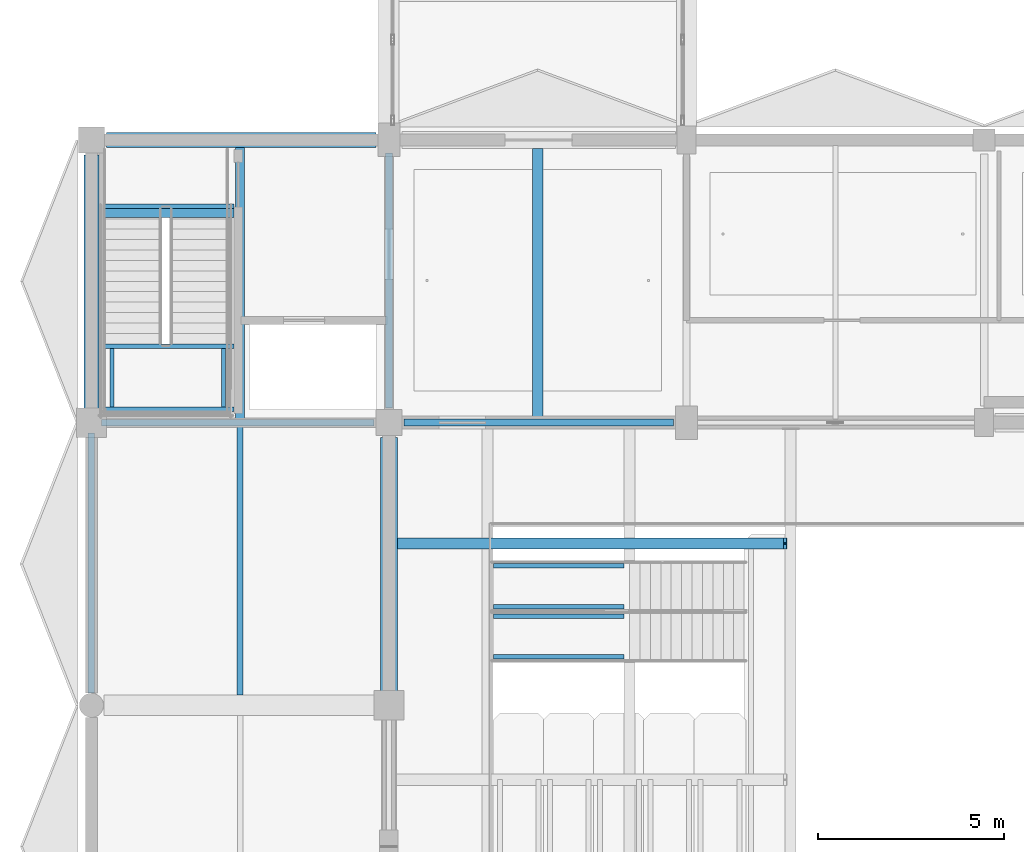
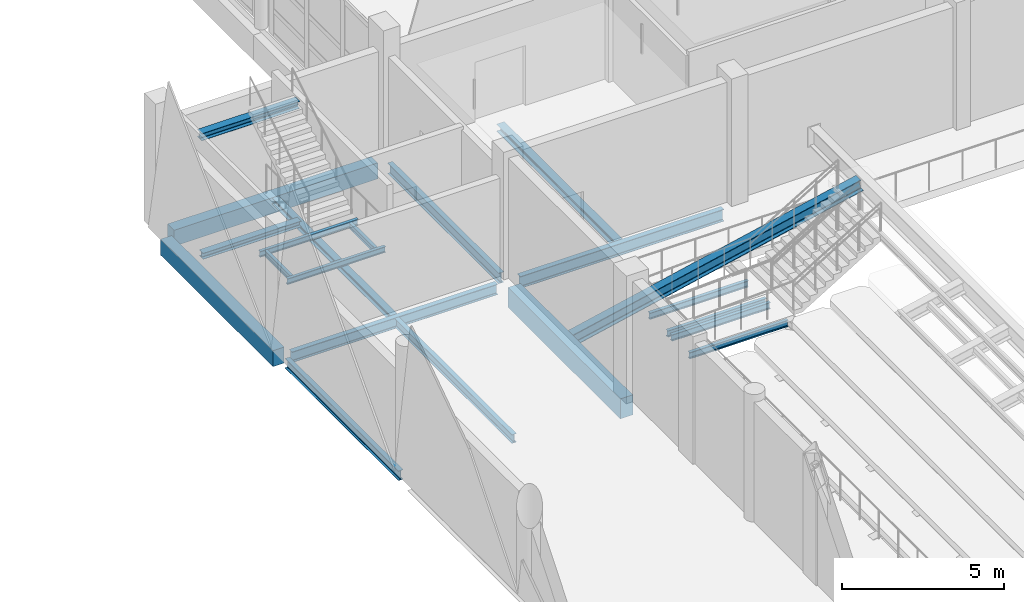
# One storey, part 18 of 141: 21 beams.
"""IFC4 building model written with IfcOpenShell, lengths in metres."""

from ifc_helpers import new_model, si_unit, direction, frame, origin, origin_2d, place, context, subcontext, project, spatial, rectangle, i_section, extrude, material, material_profile, profile_set, type_object, element, save


model = new_model("IFC4")

# Units and contexts
model_context = context("Model", 3, precision=1e-05, world=origin(), true_north=direction((0.0, 1.0)))
body_context = subcontext(model_context, "Body", "Model", "MODEL_VIEW")
ifc_project = project(units=[si_unit("LENGTHUNIT", "METRE"), si_unit("AREAUNIT", "SQUARE_METRE"), si_unit("VOLUMEUNIT", "CUBIC_METRE"), si_unit("PLANEANGLEUNIT", "RADIAN"), si_unit("MASSUNIT", "GRAM", prefix="KILO")], contexts=[model_context])

# Site, building, storey
site_placement = place(None, origin())
site = spatial("IfcSite", under=ifc_project, at=site_placement, CompositionType="ELEMENT")
building_placement = place(site_placement, origin())
building = spatial("IfcBuilding", under=site, at=building_placement, Name="Khelvaren Railside Concert Hall", CompositionType="ELEMENT")
storey_placement = place(building_placement, frame((0.0, 0.0, 10.199951171875)))
storey = spatial("IfcBuildingStorey", under=building, at=storey_placement, Name="L02", CompositionType="ELEMENT", Elevation=10.199951171875)

# Beams
ifc_material_1 = material(Name="Steel S355", Category="steel")
ifc_material_profile_1 = material_profile(ifc_material_1, i_section(OverallWidth=0.179931640625, OverallDepth=0.39990234375, WebThickness=0.008544921875, FlangeThickness=0.013427734375, FilletRadius=0.02099609375, at=origin_2d()), Name="IPE 400")
ifc_profile_set_1 = profile_set([ifc_material_profile_1], Name="Steel S355")
beam_type_1 = type_object("IfcBeamType", Name="BM29", PredefinedType="BEAM", material=ifc_profile_set_1)
beam_1_placement = place(storey_placement, frame((0.27294921875, 38.0, -0.489990234375), z_axis=(1.0, 0.0, 0.0), x_axis=(0.0, 1.0, 0.0)))
element("IfcBeam", 1, at=beam_1_placement, inside=storey, type_object=beam_type_1, Name="V1 L02 Beam X6.1", PredefinedType="BEAM", context=body_context, shape_type="SweptSolid", body=[
    extrude(i_section(OverallWidth=0.179931640625, OverallDepth=0.39990234375, WebThickness=0.008544921875, FlangeThickness=0.013427734375, FilletRadius=0.02099609375, at=origin_2d()), origin(), (0.0, 0.0, 1.0), 7.3271484375),
])
beam_2_placement = place(storey_placement, frame((8.0, 38.39990234375, -0.489990234375), z_axis=(0.0, 1.0, 0.0), x_axis=(-1.0, 0.0, 0.0)))
element("IfcBeam", 2, at=beam_2_placement, inside=storey, type_object=beam_type_1, Name="V1 L02 Beam Y2.6", PredefinedType="BEAM", context=body_context, shape_type="SweptSolid", body=[
    extrude(i_section(OverallWidth=0.179931640625, OverallDepth=0.39990234375, WebThickness=0.008544921875, FlangeThickness=0.013427734375, FilletRadius=0.02099609375, at=origin_2d()), origin(), (0.0, 0.0, 1.0), 6.85009765625),
])
ifc_material_profile_2 = material_profile(ifc_material_1, i_section(OverallWidth=0.1201171875, OverallDepth=0.239990234375, WebThickness=0.006103515625, FlangeThickness=0.009765625, FilletRadius=0.014892578125, at=origin_2d()), Name="IPE 240")
ifc_profile_set_2 = profile_set([ifc_material_profile_2], Name="Steel S355")
beam_type_2 = type_object("IfcBeamType", Name="BM30", PredefinedType="BEAM", material=ifc_profile_set_2)
for number, where, z_axis, x_axis, name in (
    (3, (10.81005859375, 31.699951171875, -0.320068359375), (1.0, 0.0, 0.0), (0.0, 1.0, 0.0), "Vomitory Landing Stringer ST-23-S"),
    (4, (10.81005859375, 32.800048828125, -0.320068359375), (1.0, 0.0, 0.0), (0.0, 1.0, 0.0), "Vomitory Landing Stringer ST-23-N"),
    (5, (10.81005859375, 33.050048828125, -0.320068359375), (1.0, 0.0, 0.0), (0.0, 1.0, 0.0), "Vomitory Landing Stringer ST-24-S"),
    (6, (10.81005859375, 34.14990234375, -0.320068359375), (1.0, 0.0, 0.0), (0.0, 1.0, 0.0), "Vomitory Landing Stringer ST-24-N"),
):
    element("IfcBeam", number, at=place(storey_placement, frame(where, z_axis=z_axis, x_axis=x_axis)), inside=storey, type_object=beam_type_2, Name=name, PredefinedType="BEAM", context=body_context, shape_type="SweptSolid", body=[
        extrude(i_section(OverallWidth=0.1201171875, OverallDepth=0.239990234375, WebThickness=0.006103515625, FlangeThickness=0.009765625, FilletRadius=0.014892578125, at=origin_2d()), origin(), (0.0, 0.0, 1.0), 3.510009765625),
    ])
ifc_material_profile_3 = material_profile(ifc_material_1, i_section(OverallWidth=0.239990234375, OverallDepth=0.22998046875, WebThickness=0.007568359375, FlangeThickness=0.011962890625, FilletRadius=0.02099609375, at=origin_2d()), Name="HEA 240")
ifc_profile_set_3 = profile_set([ifc_material_profile_3], Name="Steel S355")
beam_type_3 = type_object("IfcBeamType", Name="BM42", PredefinedType="BEAM", material=ifc_profile_set_3)
beam_3_placement = place(storey_placement, frame((0.344970703125, 43.63916015625, -0.114990234375), z_axis=(1.0, 0.0, 0.0), x_axis=(0.0, 1.0, 0.0)))
element("IfcBeam", 7, at=beam_3_placement, inside=storey, type_object=beam_type_3, Name="ST-11 L02 Stair Foot Trimmer Beam", PredefinedType="BEAM", context=body_context, shape_type="SweptSolid", body=[
    extrude(i_section(OverallWidth=0.239990234375, OverallDepth=0.22998046875, WebThickness=0.007568359375, FlangeThickness=0.011962890625, FilletRadius=0.02099609375, at=origin_2d()), origin(), (0.0, 0.0, 1.0), 3.4951171875),
])
ifc_material_2 = material(Name="Concrete C40/50", Category="concrete")
ifc_material_profile_4 = material_profile(ifc_material_2, rectangle(XDim=0.449951171875, YDim=0.75, at=origin_2d()), Name="RCB 450x750")
ifc_profile_set_4 = profile_set([ifc_material_profile_4], Name="Concrete C40/50")
beam_type_4 = type_object("IfcBeamType", Name="BM83", PredefinedType="BEAM", material=ifc_profile_set_4)
beam_4_placement = place(storey_placement, frame((8.0, 30.673095703125, -0.6650390625), z_axis=(0.0, 1.0, 0.0), x_axis=(-1.0, 0.0, 0.0)))
element("IfcBeam", 8, at=beam_4_placement, inside=storey, type_object=beam_type_4, Name="V1 L02 Beam Y2.5", PredefinedType="BEAM", context=body_context, shape_type="SweptSolid", body=[
    extrude(rectangle(XDim=0.449951171875, YDim=0.75, at=origin_2d()), origin(), (0.0, 0.0, 1.0), 6.927001953125),
])
ifc_material_profile_5 = material_profile(ifc_material_1, i_section(OverallWidth=0.110107421875, OverallDepth=0.219970703125, WebThickness=0.005859375, FlangeThickness=0.00927734375, FilletRadius=0.011962890625, at=origin_2d()), Name="IPE 220")
ifc_profile_set_5 = profile_set([ifc_material_profile_5], Name="Steel S355")
beam_type_5 = type_object("IfcBeamType", Name="BM87", PredefinedType="BEAM", material=ifc_profile_set_5)
for number, where, z_axis, x_axis, name in (
    (9, (0.344970703125, 40.054931640625, 2.090087890625), (1.0, 0.0, 0.0), (0.0, 1.0, 0.0), "ST-11 L02 Half-Landing Front Beam"),
    (10, (0.344970703125, 38.360107421875, 2.090087890625), (1.0, 0.0, 0.0), (0.0, 1.0, 0.0), "ST-11 L02 Half-Landing Rear Beam"),
):
    element("IfcBeam", number, at=place(storey_placement, frame(where, z_axis=z_axis, x_axis=x_axis)), inside=storey, type_object=beam_type_5, Name=name, PredefinedType="BEAM", context=body_context, shape_type="SweptSolid", body=[
        extrude(i_section(OverallWidth=0.110107421875, OverallDepth=0.219970703125, WebThickness=0.005859375, FlangeThickness=0.00927734375, FilletRadius=0.011962890625, at=origin_2d()), origin(), (0.0, 0.0, 1.0), 3.4951171875),
    ])
for number, where, z_axis, x_axis, name in (
    (11, (0.550048828125, 38.4150390625, 2.090087890625), (0.0, 1.0, 0.0), (-1.0, 0.0, 0.0), "ST-11 L02 Half-Landing Side Tie W"),
    (12, (3.550048828125, 38.4150390625, 2.090087890625), (0.0, 1.0, 0.0), (-1.0, 0.0, 0.0), "ST-11 L02 Half-Landing Side Tie E"),
):
    element("IfcBeam", number, at=place(storey_placement, frame(where, z_axis=z_axis, x_axis=x_axis)), inside=storey, type_object=beam_type_5, Name=name, PredefinedType="BEAM", context=body_context, shape_type="SweptSolid", body=[
        extrude(i_section(OverallWidth=0.110107421875, OverallDepth=0.219970703125, WebThickness=0.005859375, FlangeThickness=0.00927734375, FilletRadius=0.011962890625, at=origin_2d()), origin(), (0.0, 0.0, 1.0), 1.5849609375),
    ])
ifc_material_profile_6 = material_profile(ifc_material_1, i_section(OverallWidth=0.280029296875, OverallDepth=0.27001953125, WebThickness=0.008056640625, FlangeThickness=0.012939453125, FilletRadius=0.02392578125, at=origin_2d()), Name="HEA 280")
ifc_profile_set_6 = profile_set([ifc_material_profile_6], Name="Steel S355")
beam_type_6 = type_object("IfcBeamType", Name="BM93", PredefinedType="BEAM", material=ifc_profile_set_6)
beam_5_placement = place(storey_placement, frame((0.344970703125, 43.739990234375, 4.317626953125), z_axis=(1.0, 0.0, 0.0), x_axis=(0.0, 1.0, 0.0)))
element("IfcBeam", 13, at=beam_5_placement, inside=storey, type_object=beam_type_6, Name="ST-11 L02 Stair Top Arrival Trimmer Beam", PredefinedType="BEAM", context=body_context, shape_type="SweptSolid", body=[
    extrude(i_section(OverallWidth=0.280029296875, OverallDepth=0.27001953125, WebThickness=0.008056640625, FlangeThickness=0.012939453125, FilletRadius=0.02392578125, at=origin_2d()), origin(), (0.0, 0.0, 1.0), 3.4951171875),
])
ifc_material_profile_7 = material_profile(ifc_material_1, i_section(OverallWidth=0.18994140625, OverallDepth=0.449951171875, WebThickness=0.009521484375, FlangeThickness=0.0146484375, FilletRadius=0.02099609375, at=origin_2d()), Name="IPE 450")
ifc_profile_set_7 = profile_set([ifc_material_profile_7], Name="Steel S355")
beam_type_7 = type_object("IfcBeamType", Name="BM95", PredefinedType="BEAM", material=ifc_profile_set_7)
beam_6_placement = place(storey_placement, frame((8.39990234375, 38.0, -0.514892578125), z_axis=(1.0, 0.0, 0.0), x_axis=(0.0, 1.0, 0.0)))
element("IfcBeam", 14, at=beam_6_placement, inside=storey, type_object=beam_type_7, Name="V1 L02 Beam X6.2", PredefinedType="BEAM", context=body_context, shape_type="SweptSolid", body=[
    extrude(i_section(OverallWidth=0.18994140625, OverallDepth=0.449951171875, WebThickness=0.009521484375, FlangeThickness=0.0146484375, FilletRadius=0.02099609375, at=origin_2d()), origin(), (0.0, 0.0, 1.0), 7.25),
])
ifc_material_profile_8 = material_profile(ifc_material_1, i_section(OverallWidth=0.280029296875, OverallDepth=0.27001953125, WebThickness=0.008056640625, FlangeThickness=0.012939453125, FilletRadius=0.02392578125, at=origin_2d()), Name="HEA 280")
ifc_profile_set_8 = profile_set([ifc_material_profile_8], Name="Steel S355")
beam_type_8 = type_object("IfcBeamType", Name="JS46", PredefinedType="JOIST", material=ifc_profile_set_8)
beam_7_placement = place(storey_placement, frame((12.0, 38.094970703125, -0.425048828125), z_axis=(0.0, 1.0, 0.0), x_axis=(-1.0, 0.0, 0.0)))
element("IfcBeam", 15, at=beam_7_placement, inside=storey, type_object=beam_type_8, Name="V1 L02 Secondary Joist 2.6", PredefinedType="JOIST", context=body_context, shape_type="SweptSolid", body=[
    extrude(i_section(OverallWidth=0.280029296875, OverallDepth=0.27001953125, WebThickness=0.008056640625, FlangeThickness=0.012939453125, FilletRadius=0.02392578125, at=origin_2d()), origin(), (0.0, 0.0, 1.0), 7.280029296875),
])
ifc_material_profile_9 = material_profile(ifc_material_1, i_section(OverallWidth=0.159912109375, OverallDepth=0.330078125, WebThickness=0.007568359375, FlangeThickness=0.011474609375, FilletRadius=0.01806640625, at=origin_2d()), Name="IPE 330")
ifc_profile_set_9 = profile_set([ifc_material_profile_9], Name="Steel S355")
beam_type_9 = type_object("IfcBeamType", Name="JS65", PredefinedType="JOIST", material=ifc_profile_set_9)
beam_8_placement = place(storey_placement, frame((4.0, 30.675048828125, -0.454833984375), z_axis=(0.0, 1.0, 0.0), x_axis=(-1.0, 0.0, 0.0)))
element("IfcBeam", 16, at=beam_8_placement, inside=storey, type_object=beam_type_9, Name="V1 L02 Secondary Joist 1.5", PredefinedType="JOIST", context=body_context, shape_type="SweptSolid", body=[
    extrude(i_section(OverallWidth=0.159912109375, OverallDepth=0.330078125, WebThickness=0.007568359375, FlangeThickness=0.011474609375, FilletRadius=0.01806640625, at=origin_2d()), origin(), (0.0, 0.0, 1.0), 7.23486328125),
])
ifc_material_profile_10 = material_profile(ifc_material_1, i_section(OverallWidth=0.239990234375, OverallDepth=0.22998046875, WebThickness=0.007568359375, FlangeThickness=0.011962890625, FilletRadius=0.02099609375, at=origin_2d()), Name="HEA 240")
ifc_profile_set_10 = profile_set([ifc_material_profile_10], Name="Steel S355")
beam_type_10 = type_object("IfcBeamType", Name="JS76", PredefinedType="JOIST", material=ifc_profile_set_10)
beam_9_placement = place(storey_placement, frame((4.0, 38.090087890625, -0.405029296875), z_axis=(0.0, 1.0, 0.0), x_axis=(-1.0, 0.0, 0.0)))
element("IfcBeam", 17, at=beam_9_placement, inside=storey, type_object=beam_type_10, Name="V1 L02 Secondary Joist 1.6", PredefinedType="JOIST", context=body_context, shape_type="SweptSolid", body=[
    extrude(i_section(OverallWidth=0.239990234375, OverallDepth=0.22998046875, WebThickness=0.007568359375, FlangeThickness=0.011962890625, FilletRadius=0.02099609375, at=origin_2d()), origin(), (0.0, 0.0, 1.0), 7.309814453125),
])
ifc_material_profile_11 = material_profile(ifc_material_1, i_section(OverallWidth=0.300048828125, OverallDepth=0.43994140625, WebThickness=0.011474609375, FlangeThickness=0.02099609375, FilletRadius=0.027099609375, at=origin_2d()), Name="HEA 450")
ifc_profile_set_11 = profile_set([ifc_material_profile_11], Name="Steel S355")
beam_type_11 = type_object("IfcBeamType", Name="RK59", PredefinedType="USERDEFINED", material=ifc_profile_set_11)
beam_10_placement = place(storey_placement, frame((8.169921875, 34.75, -0.739990234375), z_axis=(0.976752826858, 0.0, 0.214368643289), x_axis=(0.0, 1.0, 0.0)))
element("IfcBeam", 18, at=beam_10_placement, inside=storey, type_object=beam_type_11, Name="V1-L02 Balcony Raker Beam 8", ObjectType="RAKER", PredefinedType="USERDEFINED", context=body_context, shape_type="SweptSolid", body=[
    extrude(i_section(OverallWidth=0.300048828125, OverallDepth=0.43994140625, WebThickness=0.011474609375, FlangeThickness=0.02099609375, FilletRadius=0.027099609375, at=origin_2d()), origin(), (0.0, 0.0, 1.0), 10.7294921875),
])
ifc_material_profile_12 = material_profile(ifc_material_1, i_section(OverallWidth=0.169921875, OverallDepth=0.360107421875, WebThickness=0.008056640625, FlangeThickness=0.0126953125, FilletRadius=0.01806640625, at=origin_2d()), Name="IPE 360")
ifc_profile_set_12 = profile_set([ifc_material_profile_12], Name="Steel S355")
beam_type_12 = type_object("IfcBeamType", Name="SP74", PredefinedType="SPANDREL", material=ifc_profile_set_12)
beam_11_placement = place(storey_placement, frame((0.0, 30.736083984375, -0.469970703125), z_axis=(0.0, 1.0, 0.0), x_axis=(-1.0, 0.0, 0.0)))
element("IfcBeam", 19, at=beam_11_placement, inside=storey, type_object=beam_type_12, Name="V1 L02 Spandrel Y1.5", PredefinedType="SPANDREL", context=body_context, shape_type="SweptSolid", body=[
    extrude(i_section(OverallWidth=0.169921875, OverallDepth=0.360107421875, WebThickness=0.008056640625, FlangeThickness=0.0126953125, FilletRadius=0.01806640625, at=origin_2d()), origin(), (0.0, 0.0, 1.0), 6.990966796875),
])
ifc_material_profile_13 = material_profile(ifc_material_2, rectangle(XDim=0.39990234375, YDim=0.60009765625, at=origin_2d()), Name="RCB 400x600")
ifc_profile_set_13 = profile_set([ifc_material_profile_13], Name="Concrete C40/50")
beam_type_13 = type_object("IfcBeamType", Name="SP75", PredefinedType="SPANDREL", material=ifc_profile_set_13)
beam_12_placement = place(storey_placement, frame((0.39990234375, 45.60009765625, -0.58984375), z_axis=(1.0, 0.0, 0.0), x_axis=(0.0, 1.0, 0.0)))
element("IfcBeam", 20, at=beam_12_placement, inside=storey, type_object=beam_type_13, Name="V1 L02 Spandrel X7.1", PredefinedType="SPANDREL", context=body_context, shape_type="SweptSolid", body=[
    extrude(rectangle(XDim=0.39990234375, YDim=0.60009765625, at=origin_2d()), origin(), (0.0, 0.0, 1.0), 7.25),
])
beam_13_placement = place(storey_placement, frame((0.0, 38.27294921875, -0.58984375), z_axis=(0.0, 1.0, 0.0), x_axis=(-1.0, 0.0, 0.0)))
element("IfcBeam", 21, at=beam_13_placement, inside=storey, type_object=beam_type_13, Name="V1 L02 Spandrel Y1.6", PredefinedType="SPANDREL", context=body_context, shape_type="SweptSolid", body=[
    extrude(rectangle(XDim=0.39990234375, YDim=0.60009765625, at=origin_2d()), origin(), (0.0, 0.0, 1.0), 6.927001953125),
])

save(model, "model.ifc")
